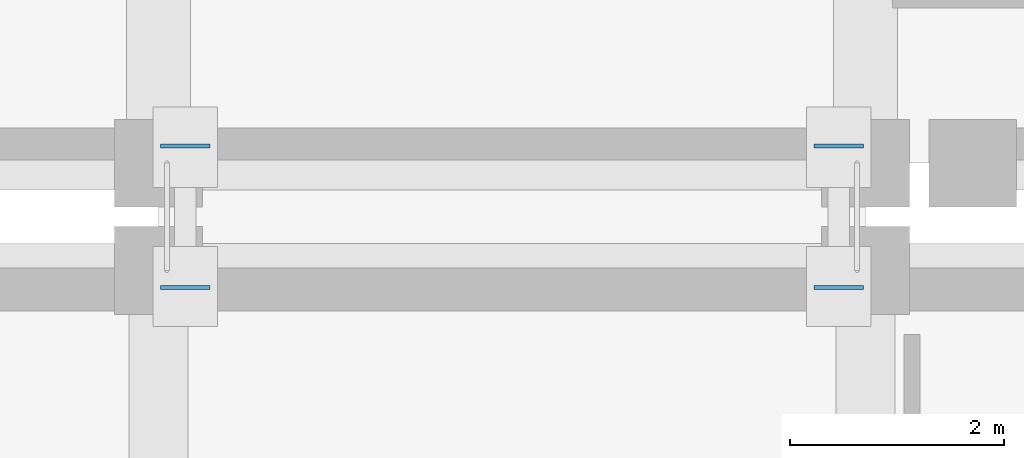
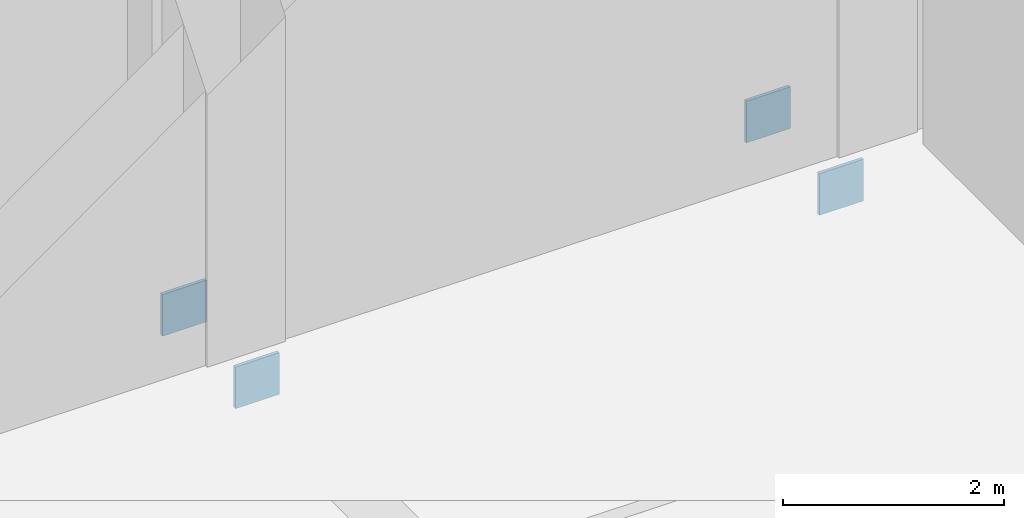
# One storey, part 78 of 90: 4 discrete accessories.
"""IFC4 building model written with IfcOpenShell, lengths in metres."""

import ifcopenshell
import ifcopenshell.guid

model = None  # the IFC model being written
_history = None  # IfcOwnerHistory: only IFC2X3 demands one
_inside = {}  # id of a spatial element -> (the spatial element, [elements in it])
_under = {}  # id of a project, library or spatial element -> (it, [spatial elements below it])
_declared = {}  # id of a project -> (the project, [libraries it declares])
_typed = {}  # id of a type object -> (the type object, [elements of that type])
_made_of = {}  # id of a material, layer set ... -> (it, [elements and type objects made of it])


def new_model(schema):
    """Start an empty IFC model of exactly this schema.

    Asked for "IFC4X3", IfcOpenShell would pick the latest addendum, in which some entities
    have other attributes; the version numbers below select the first issue.
    IFC2X3 requires an IfcOwnerHistory on every rooted entity: one is made here for all.
    """
    global model, _history
    if schema == "IFC4X3":
        model = ifcopenshell.file(schema_version=(4, 3, 0, 0))
    else:
        model = ifcopenshell.file(schema=schema)
    _inside.clear()
    _under.clear()
    _declared.clear()
    _typed.clear()
    _made_of.clear()
    _history = None
    if model.schema == "IFC2X3":
        org = make("IfcOrganization", Name="unknown")
        user = make(
            "IfcPersonAndOrganization",
            ThePerson=make("IfcPerson", FamilyName="unknown"),
            TheOrganization=org,
        )
        app = make(
            "IfcApplication",
            ApplicationDeveloper=org,
            Version="unknown",
            ApplicationFullName="unknown",
            ApplicationIdentifier="unknown",
        )
        _history = make(
            "IfcOwnerHistory",
            OwningUser=user,
            OwningApplication=app,
            ChangeAction="ADDED",
            CreationDate=0,
        )
    return model


def make(cls, **values):
    """One entity of the class cls with the attributes given. An attribute that is None is left unset."""
    return model.create_entity(
        cls, **{name: value for name, value in values.items() if value is not None}
    )


def rooted(cls, **values):
    """An entity with a GlobalId (a new one), such as an element, a storey or a relation."""
    return make(cls, GlobalId=ifcopenshell.guid.new(), OwnerHistory=_history, **values)


def si_unit(unit_type, name, prefix=None):
    """IfcSIUnit, for example si_unit("LENGTHUNIT", "METRE", prefix="MILLI")."""
    return make("IfcSIUnit", UnitType=unit_type, Prefix=prefix, Name=name)


def assignment(units):
    """IfcUnitAssignment: the units of a project."""
    return None if units is None else make("IfcUnitAssignment", Units=units)


def point(xyz):
    """IfcCartesianPoint."""
    return None if xyz is None else make("IfcCartesianPoint", Coordinates=xyz)


def direction(xyz):
    """IfcDirection."""
    return None if xyz is None else make("IfcDirection", DirectionRatios=xyz)


def frame(location, z_axis=None, x_axis=None):
    """IfcAxis2Placement3D, a coordinate frame: its origin and axes. An axis left out is left unset."""
    return make(
        "IfcAxis2Placement3D",
        Location=point(location),
        Axis=direction(z_axis),
        RefDirection=direction(x_axis),
    )


def frame_2d(location, x_axis=None):
    """IfcAxis2Placement2D, a coordinate frame in the plane: its origin and x axis."""
    return make(
        "IfcAxis2Placement2D", Location=point(location), RefDirection=direction(x_axis)
    )


def origin():
    """The frame at (0, 0, 0) with its axes left unset."""
    return frame((0.0, 0.0, 0.0))


def origin_2d():
    """The frame at (0, 0) in the plane with its x axis left unset."""
    return frame_2d((0.0, 0.0))


def place(relative_to, where):
    """IfcLocalPlacement: puts the frame where relative to a parent placement (None: the world)."""
    return make(
        "IfcLocalPlacement", PlacementRelTo=relative_to, RelativePlacement=where
    )


def context(
    kind, dimensions, precision=None, world=None, true_north=None, identifier=None
):
    """IfcGeometricRepresentationContext, for example the 3D "Model" context."""
    return make(
        "IfcGeometricRepresentationContext",
        ContextIdentifier=identifier,
        ContextType=kind,
        CoordinateSpaceDimension=dimensions,
        Precision=precision,
        WorldCoordinateSystem=world,
        TrueNorth=true_north,
    )


def subcontext(parent, identifier, kind, view, scale=None):
    """IfcGeometricRepresentationSubContext, for example "Body" below "Model"."""
    return make(
        "IfcGeometricRepresentationSubContext",
        ContextIdentifier=identifier,
        ContextType=kind,
        ParentContext=parent,
        TargetScale=scale,
        TargetView=view,
    )


def project(units=None, contexts=None):
    """IfcProject with its units and contexts."""
    return rooted(
        "IfcProject",
        Name="project",
        RepresentationContexts=contexts,
        UnitsInContext=assignment(units),
    )


def spatial(cls, under=None, at=None, **own):
    """A site, building, storey or space (cls), placed at a placement, below another one or the project."""
    s = rooted(cls, ObjectPlacement=at, **own)
    if under is not None:
        _under.setdefault(under.id(), (under, []))[1].append(s)
    return s


def profile(cls, at=None, kind="AREA", **sizes):
    """A parametric profile (cls). Its sizes go by their IFC names, for example OverallWidth=200.0."""
    return make(cls, ProfileType=kind, Position=at, **sizes)


def rectangle(**sizes):
    """IfcRectangleProfileDef."""
    return profile("IfcRectangleProfileDef", **sizes)


def extrude(swept, where, along, depth):
    """IfcExtrudedAreaSolid: the profile swept, set in the frame where, extruded along a direction by depth."""
    return make(
        "IfcExtrudedAreaSolid",
        SweptArea=swept,
        Position=where,
        ExtrudedDirection=direction(along),
        Depth=depth,
    )


def shape(context_of_items, identifier, shape_type, items):
    """IfcShapeRepresentation: the items that make up one representation, for example the "Body"."""
    return make(
        "IfcShapeRepresentation",
        ContextOfItems=context_of_items,
        RepresentationIdentifier=identifier,
        RepresentationType=shape_type,
        Items=items,
    )


def material(Name=None, Category=None):
    """IfcMaterial."""
    return make("IfcMaterial", Name=Name, Category=Category)


def material_profile(
    of_material, cross_section, Name=None, Category=None, Priority=None
):
    """IfcMaterialProfile: a cross section and its material."""
    return make(
        "IfcMaterialProfile",
        Name=Name,
        Material=of_material,
        Profile=cross_section,
        Priority=Priority,
        Category=Category,
    )


def profile_set(profiles, Name=None, composite=None):
    """IfcMaterialProfileSet."""
    return make(
        "IfcMaterialProfileSet",
        Name=Name,
        MaterialProfiles=profiles,
        CompositeProfile=composite,
    )


def made_of(thing, what):
    """Note that an element or type object is made of a material, layer set ...; save() writes the relation."""
    if what is not None:
        _made_of.setdefault(what.id(), (what, []))[1].append(thing)
    return thing


def type_object(cls, material=None, **own):
    """A type object (cls), such as IfcWallType, which elements share."""
    return made_of(rooted(cls, **own), material)


def element(
    cls,
    number,
    at=None,
    inside=None,
    cuts=None,
    type_object=None,
    material=None,
    context=None,
    identifier="Body",
    shape_type=None,
    held_by="IfcProductDefinitionShape",
    body=None,
    shapes=None,
    **own,
):
    """One element of the class cls, such as IfcWall. Its Tag is "e" and its number.

    at: its placement. inside: the storey or other place that contains it. cuts: it is an
    opening in that element (IfcRelVoidsElement). A single representation is given by context,
    identifier, shape_type and body (its items); several are given by shapes. held_by: the class
    of the entity that holds the representations. save() writes the other relations.
    """
    e = rooted(cls, Tag="e%d" % number, ObjectPlacement=at, **own)
    if body is not None:
        shapes = [shape(context, identifier, shape_type, body)]
    if shapes is not None:
        e.Representation = make(held_by, Representations=shapes)
    if inside is not None:
        _inside.setdefault(inside.id(), (inside, []))[1].append(e)
    if cuts is not None:
        rooted(
            "IfcRelVoidsElement", RelatingBuildingElement=cuts, RelatedOpeningElement=e
        )
    if type_object is not None:
        _typed.setdefault(type_object.id(), (type_object, []))[1].append(e)
    return made_of(e, material)


def aggregate(whole, parts):
    """IfcRelAggregates: a whole, such as a stair, and the parts it consists of."""
    return rooted("IfcRelAggregates", RelatingObject=whole, RelatedObjects=parts)


def save(model, path):
    """Write the relations noted so far, then the file.

    IfcRelAggregates (storeys below a building ...), IfcRelContainedInSpatialStructure (elements
    in a storey), IfcRelDefinesByType, IfcRelAssociatesMaterial and IfcRelDeclares: one each for
    every whole, place, type object, material and project.
    """
    for whole, parts in _under.values():
        aggregate(whole, parts)
    for where, things in _inside.values():
        rooted(
            "IfcRelContainedInSpatialStructure",
            RelatedElements=things,
            RelatingStructure=where,
        )
    for kind, things in _typed.values():
        rooted("IfcRelDefinesByType", RelatedObjects=things, RelatingType=kind)
    for what, things in _made_of.values():
        rooted("IfcRelAssociatesMaterial", RelatedObjects=things, RelatingMaterial=what)
    for by, libraries in _declared.values():
        rooted("IfcRelDeclares", RelatingContext=by, RelatedDefinitions=libraries)
    model.write(path)


model = new_model("IFC4")

# Units and contexts
model_context = context("Model", 3, precision=1e-05, world=origin(), true_north=direction((0.0, 1.0)))
body_context = subcontext(model_context, "Body", "Model", "MODEL_VIEW")
ifc_project = project(units=[si_unit("LENGTHUNIT", "METRE"), si_unit("AREAUNIT", "SQUARE_METRE"), si_unit("VOLUMEUNIT", "CUBIC_METRE"), si_unit("PLANEANGLEUNIT", "RADIAN"), si_unit("MASSUNIT", "GRAM", prefix="KILO")], contexts=[model_context])

# Site, building, storey
site_placement = place(None, origin())
site = spatial("IfcSite", under=ifc_project, at=site_placement, CompositionType="ELEMENT")
building_placement = place(site_placement, origin())
building = spatial("IfcBuilding", under=site, at=building_placement, Name="Kelarvand Opera House", CompositionType="ELEMENT")
storey_placement = place(building_placement, frame((0.0, 0.0, 5.39990234375)))
storey = spatial("IfcBuildingStorey", under=building, at=storey_placement, Name="L01", CompositionType="ELEMENT", Elevation=5.39990234375)

# Discrete accessories
ifc_material = material(Name="Steel S355", Category="steel")
ifc_material_profile = material_profile(ifc_material, rectangle(XDim=0.4599609375, YDim=0.4599609375, at=origin_2d()), Name="Welded Steel Hollow End-Cap Plate 460x460x24", Category="steel")
ifc_profile_set = profile_set([ifc_material_profile], Name="Steel S355")
discrete_accessory_type = type_object("IfcDiscreteAccessoryType", Name="Welded Steel Hollow End-Cap Plate 460x460x24", PredefinedType="SHOE", material=ifc_profile_set)
discrete_accessory_1_placement = place(storey_placement, frame((109.050048828125, 86.05810546875, -0.52001953125), z_axis=(0.0, -1.0, 0.0), x_axis=(1.0, 0.0, 0.0)))
element("IfcDiscreteAccessory", 1, at=discrete_accessory_1_placement, inside=storey, type_object=discrete_accessory_type, Name="Hollow Section Welded End Cap 109", PredefinedType="SHOE", context=body_context, shape_type="SweptSolid", body=[
    extrude(rectangle(XDim=0.4599609375, YDim=0.4599609375, at=origin_2d()), origin(), (0.0, 0.0, 1.0), 0.0361328125),
])
discrete_accessory_2_placement = place(storey_placement, frame((109.050048828125, 87.342041015625, -0.52001953125), z_axis=(0.0, 1.0, 0.0), x_axis=(-1.0, 0.0, 0.0)))
element("IfcDiscreteAccessory", 2, at=discrete_accessory_2_placement, inside=storey, type_object=discrete_accessory_type, Name="Hollow Section Welded End Cap 110", PredefinedType="SHOE", context=body_context, shape_type="SweptSolid", body=[
    extrude(rectangle(XDim=0.4599609375, YDim=0.4599609375, at=origin_2d()), origin(), (0.0, 0.0, 1.0), 0.035888671875),
])
discrete_accessory_3_placement = place(storey_placement, frame((115.14990234375, 86.05810546875, -0.52001953125), z_axis=(0.0, -1.0, 0.0), x_axis=(1.0, 0.0, 0.0)))
element("IfcDiscreteAccessory", 3, at=discrete_accessory_3_placement, inside=storey, type_object=discrete_accessory_type, Name="Hollow Section Welded End Cap 111", PredefinedType="SHOE", context=body_context, shape_type="SweptSolid", body=[
    extrude(rectangle(XDim=0.4599609375, YDim=0.4599609375, at=origin_2d()), origin(), (0.0, 0.0, 1.0), 0.0361328125),
])
discrete_accessory_4_placement = place(storey_placement, frame((115.14990234375, 87.342041015625, -0.52001953125), z_axis=(0.0, 1.0, 0.0), x_axis=(-1.0, 0.0, 0.0)))
element("IfcDiscreteAccessory", 4, at=discrete_accessory_4_placement, inside=storey, type_object=discrete_accessory_type, Name="Hollow Section Welded End Cap 112", PredefinedType="SHOE", context=body_context, shape_type="SweptSolid", body=[
    extrude(rectangle(XDim=0.4599609375, YDim=0.4599609375, at=origin_2d()), origin(), (0.0, 0.0, 1.0), 0.035888671875),
])

save(model, "model.ifc")
